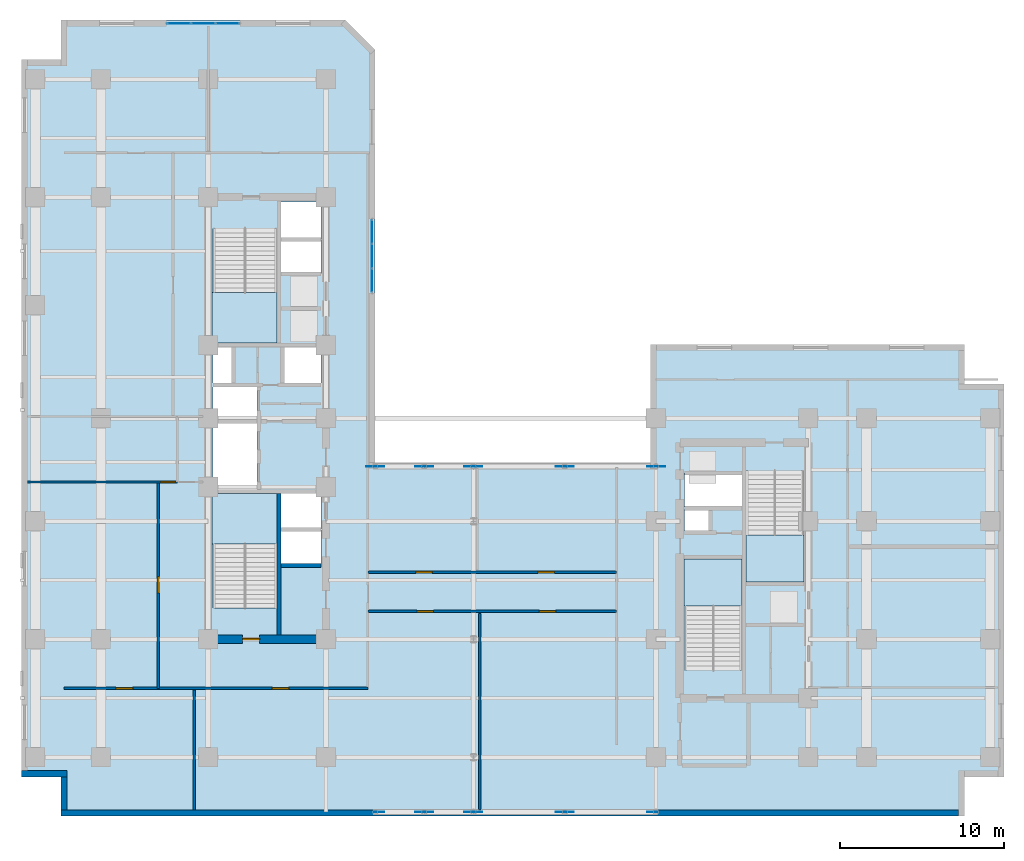
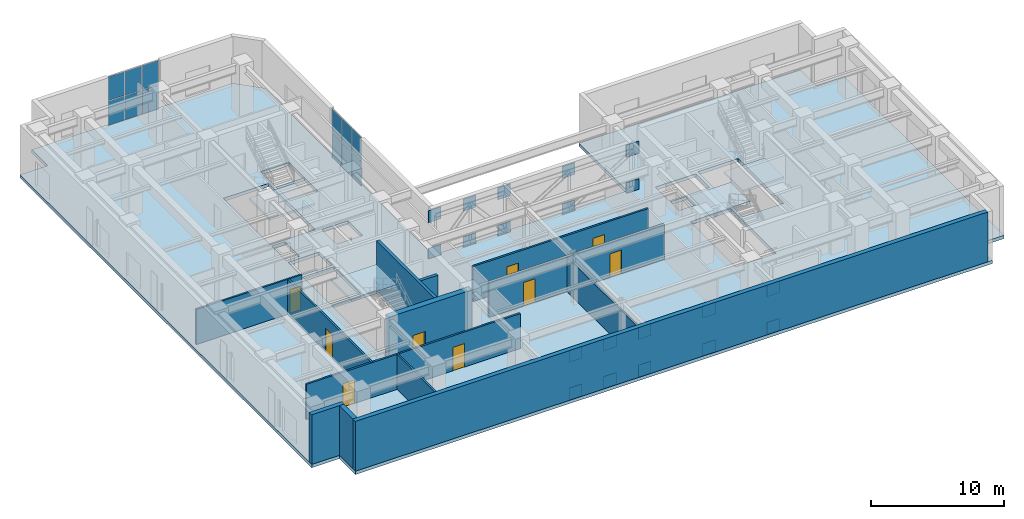
# One storey, part 11 of 18: 32 plates, 13 walls, 9 doors, 5 slabs, 9 openings, 6 elements without a shape of their own.
"""IFC4 building model written with IfcOpenShell, lengths in metres."""

from ifc_helpers import new_model, entity, si_unit, converted_unit, direction, frame, origin_with_axes, origin_2d_with_axis, place, context, subcontext, project, spatial, polyline, rectangle, outline, extrude, material, layer, layer_set, type_object, element, fill, aggregate, save


model = new_model("IFC4")

# Units and contexts
model_context = context("Model", 3, precision=1e-05, world=origin_with_axes(), true_north=direction((0.0, 1.0)))
body_context = subcontext(model_context, "Body", "Model", "MODEL_VIEW")
ifc_project = project(units=[si_unit("LENGTHUNIT", "METRE"), si_unit("AREAUNIT", "SQUARE_METRE"), si_unit("VOLUMEUNIT", "CUBIC_METRE"), converted_unit("PLANEANGLEUNIT", "DEGREE", entity("IfcPlaneAngleMeasure", 0.017453292519943295), si_unit("PLANEANGLEUNIT", "RADIAN"), dimensions=[0, 0, 0, 0, 0, 0, 0]), si_unit("MASSUNIT", "GRAM", prefix="KILO"), si_unit("THERMODYNAMICTEMPERATUREUNIT", "KELVIN")], contexts=[model_context])

# Site, building, storey
site_placement = place(None, origin_with_axes())
site = spatial("IfcSite", under=ifc_project, at=site_placement, CompositionType="ELEMENT")
building_placement = place(site_placement, origin_with_axes())
building = spatial("IfcBuilding", under=site, at=building_placement, Name="Varnlund Millrace Tower", CompositionType="ELEMENT")
storey_placement = place(building_placement, frame((0.0, 0.0, 124.2), z_axis=(0.0, 0.0, 1.0), x_axis=(1.0, 0.0, 0.0)))
storey = spatial("IfcBuildingStorey", under=building, at=storey_placement, Name="L30", CompositionType="ELEMENT", Elevation=124.2)

# Curtain wall, plates
ifc_material_1 = material(Name="Thermally broken architectural bronze curtain wall", Category="aluminium")
curtain_wall_type = type_object("IfcCurtainWallType", Name="Type-CW-Sys5-SkyLobby2Pool", PredefinedType="NOTDEFINED", material=ifc_material_1)
curtain_wall_1_placement = place(storey_placement, frame((21.41, 36.45, 0.0), z_axis=(0.0, 0.0, 1.0), x_axis=(1.0, 0.0, 0.0)))
curtain_wall_1 = element("IfcCurtainWall", 1, at=curtain_wall_1_placement, inside=storey, type_object=curtain_wall_type, Name="Type-CW-Sys5-SkyLobby2Pool", PredefinedType="NOTDEFINED")
ifc_material_2 = material(Name="Low-e argon triple-glazed curtain-wall unit", Category="glass")
ifc_layer_1 = layer(ifc_material_2, 0.028, Name="Low-e argon triple-glazed curtain-wall unit")
ifc_layer_set_1 = layer_set([ifc_layer_1], Name="Low-e argon triple-glazed curtain-wall unit")
plate_type_1 = type_object("IfcPlateType", Name="Type-CW-Panel-TripleGlazed-28", PredefinedType="CURTAIN_PANEL", material=ifc_layer_set_1)
plate_1_placement = place(storey_placement, frame((21.41, 35.685, 0.06), z_axis=(0.0, 0.0, 1.0), x_axis=(0.0, -1.0, 0.0)))
plate_1 = element("IfcPlate", 2, at=plate_1_placement, type_object=plate_type_1, Name="CW-05 panel 1.1", PredefinedType="CURTAIN_PANEL", context=body_context, shape_type="SweptSolid", body=[
    extrude(rectangle(XDim=1.41, YDim=0.028, at=origin_2d_with_axis()), origin_with_axes(), (0.0, 0.0, 1.0), 2.19),
])
plate_2_placement = place(storey_placement, frame((21.41, 35.685, 2.31), z_axis=(0.0, 0.0, 1.0), x_axis=(0.0, -1.0, 0.0)))
plate_2 = element("IfcPlate", 3, at=plate_2_placement, type_object=plate_type_1, Name="CW-05 panel 1.2", PredefinedType="CURTAIN_PANEL", context=body_context, shape_type="SweptSolid", body=[
    extrude(rectangle(XDim=1.41, YDim=0.028, at=origin_2d_with_axis()), origin_with_axes(), (0.0, 0.0, 1.0), 2.19),
])
plate_3_placement = place(storey_placement, frame((21.41, 34.2, 0.06), z_axis=(0.0, 0.0, 1.0), x_axis=(0.0, -1.0, 0.0)))
plate_3 = element("IfcPlate", 4, at=plate_3_placement, type_object=plate_type_1, Name="CW-05 panel 2.1", PredefinedType="CURTAIN_PANEL", context=body_context, shape_type="SweptSolid", body=[
    extrude(rectangle(XDim=1.44, YDim=0.028, at=origin_2d_with_axis()), origin_with_axes(), (0.0, 0.0, 1.0), 2.19),
])
plate_4_placement = place(storey_placement, frame((21.41, 34.2, 2.31), z_axis=(0.0, 0.0, 1.0), x_axis=(0.0, -1.0, 0.0)))
plate_4 = element("IfcPlate", 5, at=plate_4_placement, type_object=plate_type_1, Name="CW-05 panel 2.2", PredefinedType="CURTAIN_PANEL", context=body_context, shape_type="SweptSolid", body=[
    extrude(rectangle(XDim=1.44, YDim=0.028, at=origin_2d_with_axis()), origin_with_axes(), (0.0, 0.0, 1.0), 2.19),
])
plate_5_placement = place(storey_placement, frame((21.41, 32.715, 0.06), z_axis=(0.0, 0.0, 1.0), x_axis=(0.0, -1.0, 0.0)))
plate_5 = element("IfcPlate", 6, at=plate_5_placement, type_object=plate_type_1, Name="CW-05 panel 3.1", PredefinedType="CURTAIN_PANEL", context=body_context, shape_type="SweptSolid", body=[
    extrude(rectangle(XDim=1.41, YDim=0.028, at=origin_2d_with_axis()), origin_with_axes(), (0.0, 0.0, 1.0), 2.19),
])
plate_6_placement = place(storey_placement, frame((21.41, 32.715, 2.31), z_axis=(0.0, 0.0, 1.0), x_axis=(0.0, -1.0, 0.0)))
plate_6 = element("IfcPlate", 7, at=plate_6_placement, type_object=plate_type_1, Name="CW-05 panel 3.2", PredefinedType="CURTAIN_PANEL", context=body_context, shape_type="SweptSolid", body=[
    extrude(rectangle(XDim=1.41, YDim=0.028, at=origin_2d_with_axis()), origin_with_axes(), (0.0, 0.0, 1.0), 2.19),
])
aggregate(curtain_wall_1, [plate_1, plate_2, plate_3, plate_4, plate_5, plate_6])

curtain_wall_2_placement = place(storey_placement, frame((8.85, 48.41, 0.0), z_axis=(0.0, 0.0, 1.0), x_axis=(1.0, 0.0, 0.0)))
curtain_wall_2 = element("IfcCurtainWall", 8, at=curtain_wall_2_placement, inside=storey, type_object=curtain_wall_type, Name="Type-CW-Sys5-SkyLobby2Pool", PredefinedType="NOTDEFINED")
plate_7_placement = place(storey_placement, frame((9.615, 48.41, 0.06), z_axis=(0.0, 0.0, 1.0), x_axis=(1.0, 0.0, 0.0)))
plate_7 = element("IfcPlate", 9, at=plate_7_placement, type_object=plate_type_1, Name="CW-05 panel 1.1", PredefinedType="CURTAIN_PANEL", context=body_context, shape_type="SweptSolid", body=[
    extrude(rectangle(XDim=1.41, YDim=0.028, at=origin_2d_with_axis()), origin_with_axes(), (0.0, 0.0, 1.0), 2.19),
])
plate_8_placement = place(storey_placement, frame((9.615, 48.41, 2.31), z_axis=(0.0, 0.0, 1.0), x_axis=(1.0, 0.0, 0.0)))
plate_8 = element("IfcPlate", 10, at=plate_8_placement, type_object=plate_type_1, Name="CW-05 panel 1.2", PredefinedType="CURTAIN_PANEL", context=body_context, shape_type="SweptSolid", body=[
    extrude(rectangle(XDim=1.41, YDim=0.028, at=origin_2d_with_axis()), origin_with_axes(), (0.0, 0.0, 1.0), 2.19),
])
plate_9_placement = place(storey_placement, frame((11.1, 48.41, 0.06), z_axis=(0.0, 0.0, 1.0), x_axis=(1.0, 0.0, 0.0)))
plate_9 = element("IfcPlate", 11, at=plate_9_placement, type_object=plate_type_1, Name="CW-05 panel 2.1", PredefinedType="CURTAIN_PANEL", context=body_context, shape_type="SweptSolid", body=[
    extrude(rectangle(XDim=1.44, YDim=0.028, at=origin_2d_with_axis()), origin_with_axes(), (0.0, 0.0, 1.0), 2.19),
])
plate_10_placement = place(storey_placement, frame((11.1, 48.41, 2.31), z_axis=(0.0, 0.0, 1.0), x_axis=(1.0, 0.0, 0.0)))
plate_10 = element("IfcPlate", 12, at=plate_10_placement, type_object=plate_type_1, Name="CW-05 panel 2.2", PredefinedType="CURTAIN_PANEL", context=body_context, shape_type="SweptSolid", body=[
    extrude(rectangle(XDim=1.44, YDim=0.028, at=origin_2d_with_axis()), origin_with_axes(), (0.0, 0.0, 1.0), 2.19),
])
plate_11_placement = place(storey_placement, frame((12.585, 48.41, 0.06), z_axis=(0.0, 0.0, 1.0), x_axis=(1.0, 0.0, 0.0)))
plate_11 = element("IfcPlate", 13, at=plate_11_placement, type_object=plate_type_1, Name="CW-05 panel 3.1", PredefinedType="CURTAIN_PANEL", context=body_context, shape_type="SweptSolid", body=[
    extrude(rectangle(XDim=1.41, YDim=0.028, at=origin_2d_with_axis()), origin_with_axes(), (0.0, 0.0, 1.0), 2.19),
])
plate_12_placement = place(storey_placement, frame((12.585, 48.41, 2.31), z_axis=(0.0, 0.0, 1.0), x_axis=(1.0, 0.0, 0.0)))
plate_12 = element("IfcPlate", 14, at=plate_12_placement, type_object=plate_type_1, Name="CW-05 panel 3.2", PredefinedType="CURTAIN_PANEL", context=body_context, shape_type="SweptSolid", body=[
    extrude(rectangle(XDim=1.41, YDim=0.028, at=origin_2d_with_axis()), origin_with_axes(), (0.0, 0.0, 1.0), 2.19),
])
aggregate(curtain_wall_2, [plate_7, plate_8, plate_9, plate_10, plate_11, plate_12])

# Slab
ifc_material_3 = material(Name="Concrete C70/85", Category="concrete")
ifc_layer_2 = layer(ifc_material_3, 0.3, Name="Concrete C70/85")
ifc_layer_set_2 = layer_set([ifc_layer_2], Name="Concrete C70/85")
slab_type_1 = type_object("IfcSlabType", Name="Type-Deck-Plate-Transfer-300", PredefinedType="FLOOR", material=ifc_layer_set_2)
slab_1_placement = place(storey_placement, frame((0.0, 0.0, -0.3), z_axis=(0.0, 0.0, 1.0), x_axis=(1.0, 0.0, 0.0)))
element("IfcSlab", 15, at=slab_1_placement, inside=storey, type_object=slab_type_1, Name="Type-Deck-Plate-Transfer-300", PredefinedType="FLOOR", context=body_context, shape_type="SweptSolid", body=[
    extrude(outline(polyline([(21.6, 21.6), (21.6, 46.8), (19.8, 48.6), (2.4, 48.6), (2.4, 46.2), (0.0, 46.2), (0.0, 2.4), (2.4, 2.4), (2.4, 0.0), (57.6, 0.0), (57.6, 2.4), (60.0, 2.4), (60.0, 26.4), (57.6, 26.4), (57.6, 28.8), (38.4, 28.8), (38.4, 21.6), (21.6, 21.6)]), holes=[polyline([(15.6, 19.7), (15.6, 12.715), (11.7, 12.715), (11.7, 19.7), (15.6, 19.7)]), polyline([(18.3, 15.34), (15.84, 15.34), (15.84, 17.46), (18.3, 17.46), (18.3, 15.34)]), polyline([(18.3, 17.52), (15.84, 17.52), (15.84, 19.7), (18.3, 19.7), (18.3, 17.52)]), polyline([(11.7, 23.98), (14.38, 23.98), (14.38, 19.94), (11.7, 19.94), (11.7, 23.98)]), polyline([(14.38, 24.24), (11.7, 24.24), (11.7, 26.2), (14.38, 26.2), (14.38, 24.24)]), polyline([(12.84, 26.46), (11.7, 26.46), (11.7, 28.65), (12.84, 28.65), (12.84, 26.46)]), polyline([(15.6, 28.9), (11.7, 28.9), (11.7, 35.885), (15.6, 35.885), (15.6, 28.9)]), polyline([(44.0, 8.915), (40.5, 8.915), (40.5, 15.7), (44.0, 15.7), (44.0, 8.915)]), polyline([(47.75, 14.3), (44.25, 14.3), (44.25, 21.085), (47.75, 21.085), (47.75, 14.3)]), polyline([(41.95, 17.42), (40.5, 17.42), (40.5, 18.72), (41.95, 18.72), (41.95, 17.42)]), polyline([(44.0, 18.88), (40.5, 18.88), (40.5, 20.94), (44.0, 20.94), (44.0, 18.88)]), polyline([(18.3, 26.46), (16.04, 26.46), (16.04, 28.65), (18.3, 28.65), (18.3, 26.46)]), polyline([(18.3, 33.12), (15.84, 33.12), (15.84, 35.18), (18.3, 35.18), (18.3, 33.12)]), polyline([(18.3, 35.22), (15.84, 35.22), (15.84, 37.5), (18.3, 37.5), (18.3, 35.22)])]), origin_with_axes(), (0.0, 0.0, 1.0), 0.3),
])

# Plates
ifc_material_4 = material(Name="Steel ASTM A572 Grade 50", Category="steel")
ifc_layer_3 = layer(ifc_material_4, 0.05, Name="Steel ASTM A572 Grade 50")
ifc_layer_set_3 = layer_set([ifc_layer_3], Name="Steel ASTM A572 Grade 50")
plate_type_2 = type_object("IfcPlateType", Name="Type-Gusset-Plate-1100X1100X50", PredefinedType="SHEET", material=ifc_layer_set_3)
for number, where, z_axis, x_axis, name in (
    (16, (21.6, 0.25, -0.15), (0.0, 0.0, 1.0), (1.0, 0.0, 0.0), "Type-Gusset-Plate-1100X1100X50"),
    (17, (21.6, 0.25, 3.3), (0.0, 0.0, 1.0), (1.0, 0.0, 0.0), "Type-Gusset-Plate-1100X1100X50"),
    (18, (21.6, 21.35, -0.15), (0.0, 0.0, 1.0), (1.0, 0.0, 0.0), "Type-Gusset-Plate-1100X1100X50"),
    (19, (21.6, 21.35, 3.3), (0.0, 0.0, 1.0), (1.0, 0.0, 0.0), "Type-Gusset-Plate-1100X1100X50"),
    (20, (24.6, 0.25, -0.15), (0.0, 0.0, 1.0), (1.0, 0.0, 0.0), "Type-Gusset-Plate-1100X1100X50"),
    (21, (24.6, 0.25, 3.3), (0.0, 0.0, 1.0), (1.0, 0.0, 0.0), "Type-Gusset-Plate-1100X1100X50"),
    (22, (24.6, 21.35, -0.15), (0.0, 0.0, 1.0), (1.0, 0.0, 0.0), "Type-Gusset-Plate-1100X1100X50"),
    (23, (24.6, 21.35, 3.3), (0.0, 0.0, 1.0), (1.0, 0.0, 0.0), "Type-Gusset-Plate-1100X1100X50"),
    (24, (27.6, 0.25, -0.15), (0.0, 0.0, 1.0), (1.0, 0.0, 0.0), "Type-Gusset-Plate-1100X1100X50"),
    (25, (27.6, 0.25, 3.3), (0.0, 0.0, 1.0), (1.0, 0.0, 0.0), "Type-Gusset-Plate-1100X1100X50"),
    (26, (27.6, 21.35, -0.15), (0.0, 0.0, 1.0), (1.0, 0.0, 0.0), "Type-Gusset-Plate-1100X1100X50"),
    (27, (27.6, 21.35, 3.3), (0.0, 0.0, 1.0), (1.0, 0.0, 0.0), "Type-Gusset-Plate-1100X1100X50"),
    (28, (33.18, 0.25, -0.15), (0.0, 0.0, 1.0), (1.0, 0.0, 0.0), "Type-Gusset-Plate-1100X1100X50"),
    (29, (33.18, 0.25, 3.3), (0.0, 0.0, 1.0), (1.0, 0.0, 0.0), "Type-Gusset-Plate-1100X1100X50"),
    (30, (33.18, 21.35, -0.15), (0.0, 0.0, 1.0), (1.0, 0.0, 0.0), "Type-Gusset-Plate-1100X1100X50"),
    (31, (33.18, 21.35, 3.3), (0.0, 0.0, 1.0), (1.0, 0.0, 0.0), "Type-Gusset-Plate-1100X1100X50"),
    (32, (38.75, 0.25, -0.15), (0.0, 0.0, 1.0), (1.0, 0.0, 0.0), "Type-Gusset-Plate-1100X1100X50"),
    (33, (38.75, 0.25, 3.3), (0.0, 0.0, 1.0), (1.0, 0.0, 0.0), "Type-Gusset-Plate-1100X1100X50"),
    (34, (38.75, 21.35, -0.15), (0.0, 0.0, 1.0), (1.0, 0.0, 0.0), "Type-Gusset-Plate-1100X1100X50"),
    (35, (38.75, 21.35, 3.3), (0.0, 0.0, 1.0), (1.0, 0.0, 0.0), "Type-Gusset-Plate-1100X1100X50"),
):
    element("IfcPlate", number, at=place(storey_placement, frame(where, z_axis=z_axis, x_axis=x_axis)), inside=storey, type_object=plate_type_2, Name=name, PredefinedType="SHEET", context=body_context, shape_type="SweptSolid", body=[
        extrude(rectangle(XDim=1.1, YDim=0.05, at=origin_2d_with_axis()), origin_with_axes(), (0.0, 0.0, 1.0), 1.1),
    ])

# Stair, slab
ifc_material_5 = material(Name="Concrete C50/60", Category="concrete")
stair_type_1 = type_object("IfcStairType", Name="Type-Stair-Dogleg-185-480", PredefinedType="HALF_TURN_STAIR", material=ifc_material_5)
stair_1_placement = place(storey_placement, origin_with_axes())
stair_1 = element("IfcStair", 36, at=stair_1_placement, inside=storey, type_object=stair_type_1, Name="Type-Stair-Dogleg-185-480", PredefinedType="HALF_TURN_STAIR")
ifc_layer_4 = layer(ifc_material_5, 0.2, Name="Concrete C50/60")
ifc_layer_set_4 = layer_set([ifc_layer_4], Name="Concrete C50/60")
slab_type_2 = type_object("IfcSlabType", Name="Type-StairLanding-200", PredefinedType="LANDING", material=ifc_layer_set_4)
slab_2_placement = place(storey_placement, frame((0.0, 0.0, 2.2), z_axis=(0.0, 0.0, 1.0), x_axis=(1.0, 0.0, 0.0)))
slab_2 = element("IfcSlab", 37, at=slab_2_placement, type_object=slab_type_2, Name="ST-A1 landing 1", PredefinedType="LANDING", context=body_context, shape_type="SweptSolid", body=[
    extrude(outline(polyline([(15.6, 16.62), (15.6, 19.7), (11.65, 19.7), (11.65, 16.62), (15.6, 16.62)])), origin_with_axes(), (0.0, 0.0, 1.0), 0.2),
])
aggregate(stair_1, [slab_2])

stair_2_placement = place(storey_placement, origin_with_axes())
stair_2 = element("IfcStair", 38, at=stair_2_placement, inside=storey, type_object=stair_type_1, Name="Type-Stair-Dogleg-185-480", PredefinedType="HALF_TURN_STAIR")
slab_3_placement = place(storey_placement, frame((0.0, 0.0, 2.2), z_axis=(0.0, 0.0, 1.0), x_axis=(1.0, 0.0, 0.0)))
slab_3 = element("IfcSlab", 39, at=slab_3_placement, type_object=slab_type_2, Name="ST-A2 landing 1", PredefinedType="LANDING", context=body_context, shape_type="SweptSolid", body=[
    extrude(outline(polyline([(11.65, 31.98), (11.65, 28.9), (15.6, 28.9), (15.6, 31.98), (11.65, 31.98)])), origin_with_axes(), (0.0, 0.0, 1.0), 0.2),
])
aggregate(stair_2, [slab_3])

stair_type_2 = type_object("IfcStairType", Name="Type-Stair-Dogleg-165-480", PredefinedType="HALF_TURN_STAIR", material=ifc_material_5)
stair_3_placement = place(storey_placement, origin_with_axes())
stair_3 = element("IfcStair", 40, at=stair_3_placement, inside=storey, type_object=stair_type_2, Name="Type-Stair-Dogleg-165-480", PredefinedType="HALF_TURN_STAIR")
slab_4_placement = place(storey_placement, frame((0.0, 0.0, 2.2), z_axis=(0.0, 0.0, 1.0), x_axis=(1.0, 0.0, 0.0)))
slab_4 = element("IfcSlab", 41, at=slab_4_placement, type_object=slab_type_2, Name="ST-B1 landing 1", PredefinedType="LANDING", context=body_context, shape_type="SweptSolid", body=[
    extrude(outline(polyline([(44.0, 12.82), (44.0, 15.7), (40.45, 15.7), (40.45, 12.82), (44.0, 12.82)])), origin_with_axes(), (0.0, 0.0, 1.0), 0.2),
])
aggregate(stair_3, [slab_4])

stair_4_placement = place(storey_placement, origin_with_axes())
stair_4 = element("IfcStair", 42, at=stair_4_placement, inside=storey, type_object=stair_type_2, Name="Type-Stair-Dogleg-165-480", PredefinedType="HALF_TURN_STAIR")
slab_5_placement = place(storey_placement, frame((0.0, 0.0, 2.2), z_axis=(0.0, 0.0, 1.0), x_axis=(1.0, 0.0, 0.0)))
slab_5 = element("IfcSlab", 43, at=slab_5_placement, type_object=slab_type_2, Name="ST-B2 landing 1", PredefinedType="LANDING", context=body_context, shape_type="SweptSolid", body=[
    extrude(outline(polyline([(44.25, 17.18), (44.25, 14.3), (47.8, 14.3), (47.8, 17.18), (44.25, 17.18)])), origin_with_axes(), (0.0, 0.0, 1.0), 0.2),
])
aggregate(stair_4, [slab_5])

# Wall, opening, door
ifc_layer_5 = layer(ifc_material_3, 0.5, Name="Concrete C70/85")
ifc_layer_set_5 = layer_set([ifc_layer_5], Name="Concrete C70/85")
wall_type_1 = type_object("IfcWallType", Name="Type-CoreWall-Shear-500-C70", PredefinedType="SHEAR", material=ifc_layer_set_5)
wall_1_placement = place(storey_placement, frame((11.4, 10.8, 0.0), z_axis=(0.0, 0.0, 1.0), x_axis=(1.0, 0.0, 0.0)))
wall_1 = element("IfcWall", 44, at=wall_1_placement, inside=storey, type_object=wall_type_1, Name="Type-CoreWall-Shear-500-C70", PredefinedType="SHEAR", context=body_context, shape_type="SweptSolid", body=[
    extrude(outline(polyline([(0.0, -0.25), (7.2, -0.25), (7.2, 0.25), (0.0, 0.25), (0.0, -0.25)])), origin_with_axes(), (0.0, 0.0, 1.0), 4.56),
])
opening_1_placement = place(wall_1_placement, frame((2.625, 0.0, 0.0), z_axis=(0.0, 0.0, 1.0), x_axis=(1.0, 0.0, 0.0)))
opening_1 = element("IfcOpeningElement", 45, at=opening_1_placement, cuts=wall_1, Name="Opening L30:DR-STA1", PredefinedType="OPENING", context=body_context, shape_type="SweptSolid", body=[
    extrude(rectangle(XDim=1.05, YDim=0.52, at=origin_2d_with_axis()), origin_with_axes(), (0.0, 0.0, 1.0), 2.15),
])
ifc_material_6 = material(Name="Fire-rated hollow steel door", Category="steel")
door_type_1 = type_object("IfcDoorType", Name="Type-FireDoor-Stair-1050X2150", OperationType="NOTDEFINED", PredefinedType="DOOR", material=ifc_material_6)
door_1_placement = place(wall_1_placement, frame((2.625, 0.0, 0.0), z_axis=(0.0, 0.0, 1.0), x_axis=(1.0, 0.0, 0.0)))
door_1 = element("IfcDoor", 46, at=door_1_placement, inside=storey, type_object=door_type_1, Name="Type-FireDoor-Stair-1050X2150", OperationType="SINGLE_SWING_LEFT", OverallHeight=2.15, OverallWidth=1.05, PredefinedType="DOOR", context=body_context, shape_type="SweptSolid", body=[
    extrude(rectangle(XDim=1.05, YDim=0.09, at=origin_2d_with_axis()), origin_with_axes(), (0.0, 0.0, 1.0), 2.15),
])
fill(opening_1, door_1)

# Walls
ifc_material_7 = material(Name="Precast concrete C50/60", Category="concrete")
ifc_layer_6 = layer(ifc_material_7, 0.38, Name="Precast concrete C50/60")
ifc_layer_set_6 = layer_set([ifc_layer_6], Name="Precast concrete C50/60")
wall_type_2 = type_object("IfcWallType", Name="Type-ExtWall-Precast-Tube-380", PredefinedType="SOLIDWALL", material=ifc_layer_set_6)
wall_2_placement = place(storey_placement, frame((57.22, 0.19, 0.0), z_axis=(0.0, 0.0, 1.0), x_axis=(-1.0, 0.0, 0.0)))
element("IfcWall", 47, at=wall_2_placement, inside=storey, type_object=wall_type_2, Name="Type-ExtWall-Precast-Tube-380", PredefinedType="SOLIDWALL", context=body_context, shape_type="SweptSolid", body=[
    extrude(outline(polyline([(0.0, -0.19), (54.82, -0.19), (54.82, 0.19), (0.0, 0.19), (0.0, -0.19)])), origin_with_axes(), (0.0, 0.0, 1.0), 4.56),
])
wall_3_placement = place(storey_placement, frame((2.59, 0.38, 0.0), z_axis=(0.0, 0.0, 1.0), x_axis=(0.0, 1.0, 0.0)))
element("IfcWall", 48, at=wall_3_placement, inside=storey, type_object=wall_type_2, Name="Type-ExtWall-Precast-Tube-380", PredefinedType="SOLIDWALL", context=body_context, shape_type="SweptSolid", body=[
    extrude(outline(polyline([(0.0, -0.19), (2.02, -0.19), (2.02, 0.19), (0.0, 0.19), (0.0, -0.19)])), origin_with_axes(), (0.0, 0.0, 1.0), 4.56),
])
wall_4_placement = place(storey_placement, frame((2.78, 2.59, 0.0), z_axis=(0.0, 0.0, 1.0), x_axis=(-1.0, 0.0, 0.0)))
element("IfcWall", 49, at=wall_4_placement, inside=storey, type_object=wall_type_2, Name="Type-ExtWall-Precast-Tube-380", PredefinedType="SOLIDWALL", context=body_context, shape_type="SweptSolid", body=[
    extrude(outline(polyline([(0.0, -0.19), (2.78, -0.19), (2.78, 0.19), (0.0, 0.19), (0.0, -0.19)])), origin_with_axes(), (0.0, 0.0, 1.0), 4.56),
])

# Wall, openings, doors
ifc_material_8 = material(Name="Fire-rated gypsum board on cold-formed steel framing", Category="steel")
ifc_layer_7 = layer(ifc_material_8, 0.16, Name="Fire-rated gypsum board on cold-formed steel framing")
ifc_layer_set_7 = layer_set([ifc_layer_7], Name="Fire-rated gypsum board on cold-formed steel framing")
wall_type_3 = type_object("IfcWallType", Name="Type-Partition-Corridor-160", PredefinedType="PARTITIONING", material=ifc_layer_set_7)
wall_5_placement = place(storey_placement, frame((2.6, 7.8, 0.0), z_axis=(0.0, 0.0, 1.0), x_axis=(1.0, 0.0, 0.0)))
wall_5 = element("IfcWall", 50, at=wall_5_placement, inside=storey, type_object=wall_type_3, Name="Type-Partition-Corridor-160", PredefinedType="PARTITIONING", context=body_context, shape_type="SweptSolid", body=[
    extrude(outline(polyline([(0.0, -0.08), (18.55, -0.08), (18.55, 0.08), (0.0, 0.08), (0.0, -0.08)])), origin_with_axes(), (0.0, 0.0, 1.0), 3.2),
])
opening_2_placement = place(wall_5_placement, frame((3.684, 0.0, 0.0), z_axis=(0.0, 0.0, 1.0), x_axis=(1.0, 0.0, 0.0)))
opening_2 = element("IfcOpeningElement", 51, at=opening_2_placement, cuts=wall_5, Name="Opening L30:DR-WAS-01", PredefinedType="OPENING", context=body_context, shape_type="SweptSolid", body=[
    extrude(rectangle(XDim=1.0, YDim=0.18, at=origin_2d_with_axis()), origin_with_axes(), (0.0, 0.0, 1.0), 2.15),
])
opening_3_placement = place(wall_5_placement, frame((13.2195, 0.0, 0.0), z_axis=(0.0, 0.0, 1.0), x_axis=(1.0, 0.0, 0.0)))
opening_3 = element("IfcOpeningElement", 52, at=opening_3_placement, cuts=wall_5, Name="Opening L30:DR-WAS-02", PredefinedType="OPENING", context=body_context, shape_type="SweptSolid", body=[
    extrude(rectangle(XDim=1.0, YDim=0.18, at=origin_2d_with_axis()), origin_with_axes(), (0.0, 0.0, 1.0), 2.15),
])
ifc_material_9 = material(Name="Solid-core white oak and bronze frame door")
door_type_2 = type_object("IfcDoorType", Name="Type-IntDoor-Office-1000X2150", OperationType="NOTDEFINED", PredefinedType="DOOR", material=ifc_material_9)
door_2_placement = place(wall_5_placement, frame((3.684, 0.0, 0.0), z_axis=(0.0, 0.0, 1.0), x_axis=(1.0, 0.0, 0.0)))
door_2 = element("IfcDoor", 53, at=door_2_placement, inside=storey, type_object=door_type_2, Name="Type-IntDoor-Office-1000X2150", OperationType="SINGLE_SWING_LEFT", OverallHeight=2.15, OverallWidth=1.0, PredefinedType="DOOR", context=body_context, shape_type="SweptSolid", body=[
    extrude(rectangle(XDim=1.0, YDim=0.09, at=origin_2d_with_axis()), origin_with_axes(), (0.0, 0.0, 1.0), 2.15),
])
fill(opening_2, door_2)
door_3_placement = place(wall_5_placement, frame((13.2195, 0.0, 0.0), z_axis=(0.0, 0.0, 1.0), x_axis=(1.0, 0.0, 0.0)))
door_3 = element("IfcDoor", 54, at=door_3_placement, inside=storey, type_object=door_type_2, Name="Type-IntDoor-Office-1000X2150", OperationType="SINGLE_SWING_RIGHT", OverallHeight=2.15, OverallWidth=1.0, PredefinedType="DOOR", context=body_context, shape_type="SweptSolid", body=[
    extrude(rectangle(XDim=1.0, YDim=0.09, at=origin_2d_with_axis()), origin_with_axes(), (0.0, 0.0, 1.0), 2.15),
])
fill(opening_3, door_3)

# Wall, opening, door
wall_6_placement = place(storey_placement, frame((8.35, 7.8, 0.0), z_axis=(0.0, 0.0, 1.0), x_axis=(0.0, 1.0, 0.0)))
wall_6 = element("IfcWall", 55, at=wall_6_placement, inside=storey, type_object=wall_type_3, Name="Type-Partition-Corridor-160", PredefinedType="PARTITIONING", context=body_context, shape_type="SweptSolid", body=[
    extrude(outline(polyline([(0.0, -0.08), (12.6, -0.08), (12.6, 0.08), (0.0, 0.08), (0.0, -0.08)])), origin_with_axes(), (0.0, 0.0, 1.0), 3.2),
])
opening_4_placement = place(wall_6_placement, frame((6.325, 0.0, 0.0), z_axis=(0.0, 0.0, 1.0), x_axis=(1.0, 0.0, 0.0)))
opening_4 = element("IfcOpeningElement", 56, at=opening_4_placement, cuts=wall_6, Name="Opening L30:DR-WS-01", PredefinedType="OPENING", context=body_context, shape_type="SweptSolid", body=[
    extrude(rectangle(XDim=1.0, YDim=0.18, at=origin_2d_with_axis()), origin_with_axes(), (0.0, 0.0, 1.0), 2.15),
])
door_4_placement = place(wall_6_placement, frame((6.325, 0.0, 0.0), z_axis=(0.0, 0.0, 1.0), x_axis=(1.0, 0.0, 0.0)))
door_4 = element("IfcDoor", 57, at=door_4_placement, inside=storey, type_object=door_type_2, Name="Type-IntDoor-Office-1000X2150", OperationType="SINGLE_SWING_LEFT", OverallHeight=2.15, OverallWidth=1.0, PredefinedType="DOOR", context=body_context, shape_type="SweptSolid", body=[
    extrude(rectangle(XDim=1.0, YDim=0.09, at=origin_2d_with_axis()), origin_with_axes(), (0.0, 0.0, 1.0), 2.15),
])
fill(opening_4, door_4)

# Wall, openings, doors
wall_7_placement = place(storey_placement, frame((21.15, 12.5, 0.0), z_axis=(0.0, 0.0, 1.0), x_axis=(1.0, 0.0, 0.0)))
wall_7 = element("IfcWall", 58, at=wall_7_placement, inside=storey, type_object=wall_type_3, Name="Type-Partition-Corridor-160", PredefinedType="PARTITIONING", context=body_context, shape_type="SweptSolid", body=[
    extrude(outline(polyline([(0.0, -0.08), (15.2, -0.08), (15.2, 0.08), (0.0, 0.08), (0.0, -0.08)])), origin_with_axes(), (0.0, 0.0, 1.0), 3.2),
])
opening_5_placement = place(wall_7_placement, frame((3.5045, 0.0, 0.0), z_axis=(0.0, 0.0, 1.0), x_axis=(1.0, 0.0, 0.0)))
opening_5 = element("IfcOpeningElement", 59, at=opening_5_placement, cuts=wall_7, Name="Opening L30:DR-KNS-01", PredefinedType="OPENING", context=body_context, shape_type="SweptSolid", body=[
    extrude(rectangle(XDim=1.0, YDim=0.18, at=origin_2d_with_axis()), origin_with_axes(), (0.0, 0.0, 1.0), 2.15),
])
opening_6_placement = place(wall_7_placement, frame((10.9745, 0.0, 0.0), z_axis=(0.0, 0.0, 1.0), x_axis=(1.0, 0.0, 0.0)))
opening_6 = element("IfcOpeningElement", 60, at=opening_6_placement, cuts=wall_7, Name="Opening L30:DR-KNS-02", PredefinedType="OPENING", context=body_context, shape_type="SweptSolid", body=[
    extrude(rectangle(XDim=1.0, YDim=0.18, at=origin_2d_with_axis()), origin_with_axes(), (0.0, 0.0, 1.0), 2.15),
])
door_5_placement = place(wall_7_placement, frame((3.5045, 0.0, 0.0), z_axis=(0.0, 0.0, 1.0), x_axis=(1.0, 0.0, 0.0)))
door_5 = element("IfcDoor", 61, at=door_5_placement, inside=storey, type_object=door_type_2, Name="Type-IntDoor-Office-1000X2150", OperationType="SINGLE_SWING_LEFT", OverallHeight=2.15, OverallWidth=1.0, PredefinedType="DOOR", context=body_context, shape_type="SweptSolid", body=[
    extrude(rectangle(XDim=1.0, YDim=0.09, at=origin_2d_with_axis()), origin_with_axes(), (0.0, 0.0, 1.0), 2.15),
])
fill(opening_5, door_5)
door_6_placement = place(wall_7_placement, frame((10.9745, 0.0, 0.0), z_axis=(0.0, 0.0, 1.0), x_axis=(1.0, 0.0, 0.0)))
door_6 = element("IfcDoor", 62, at=door_6_placement, inside=storey, type_object=door_type_2, Name="Type-IntDoor-Office-1000X2150", OperationType="SINGLE_SWING_RIGHT", OverallHeight=2.15, OverallWidth=1.0, PredefinedType="DOOR", context=body_context, shape_type="SweptSolid", body=[
    extrude(rectangle(XDim=1.0, YDim=0.09, at=origin_2d_with_axis()), origin_with_axes(), (0.0, 0.0, 1.0), 2.15),
])
fill(opening_6, door_6)

wall_8_placement = place(storey_placement, frame((21.15, 14.9, 0.0), z_axis=(0.0, 0.0, 1.0), x_axis=(1.0, 0.0, 0.0)))
wall_8 = element("IfcWall", 63, at=wall_8_placement, inside=storey, type_object=wall_type_3, Name="Type-Partition-Corridor-160", PredefinedType="PARTITIONING", context=body_context, shape_type="SweptSolid", body=[
    extrude(outline(polyline([(0.0, -0.08), (15.2, -0.08), (15.2, 0.08), (0.0, 0.08), (0.0, -0.08)])), origin_with_axes(), (0.0, 0.0, 1.0), 3.2),
])
opening_7_placement = place(wall_8_placement, frame((3.43, 0.0, 0.0), z_axis=(0.0, 0.0, 1.0), x_axis=(1.0, 0.0, 0.0)))
opening_7 = element("IfcOpeningElement", 64, at=opening_7_placement, cuts=wall_8, Name="Opening L30:DR-KN-01", PredefinedType="OPENING", context=body_context, shape_type="SweptSolid", body=[
    extrude(rectangle(XDim=1.0, YDim=0.18, at=origin_2d_with_axis()), origin_with_axes(), (0.0, 0.0, 1.0), 2.15),
])
opening_8_placement = place(wall_8_placement, frame((10.9, 0.0, 0.0), z_axis=(0.0, 0.0, 1.0), x_axis=(1.0, 0.0, 0.0)))
opening_8 = element("IfcOpeningElement", 65, at=opening_8_placement, cuts=wall_8, Name="Opening L30:DR-KN-02", PredefinedType="OPENING", context=body_context, shape_type="SweptSolid", body=[
    extrude(rectangle(XDim=1.0, YDim=0.18, at=origin_2d_with_axis()), origin_with_axes(), (0.0, 0.0, 1.0), 2.15),
])
door_7_placement = place(wall_8_placement, frame((3.43, 0.0, 0.0), z_axis=(0.0, 0.0, 1.0), x_axis=(1.0, 0.0, 0.0)))
door_7 = element("IfcDoor", 66, at=door_7_placement, inside=storey, type_object=door_type_2, Name="Type-IntDoor-Office-1000X2150", OperationType="SINGLE_SWING_LEFT", OverallHeight=2.15, OverallWidth=1.0, PredefinedType="DOOR", context=body_context, shape_type="SweptSolid", body=[
    extrude(rectangle(XDim=1.0, YDim=0.09, at=origin_2d_with_axis()), origin_with_axes(), (0.0, 0.0, 1.0), 2.15),
])
fill(opening_7, door_7)
door_8_placement = place(wall_8_placement, frame((10.9, 0.0, 0.0), z_axis=(0.0, 0.0, 1.0), x_axis=(1.0, 0.0, 0.0)))
door_8 = element("IfcDoor", 67, at=door_8_placement, inside=storey, type_object=door_type_2, Name="Type-IntDoor-Office-1000X2150", OperationType="SINGLE_SWING_RIGHT", OverallHeight=2.15, OverallWidth=1.0, PredefinedType="DOOR", context=body_context, shape_type="SweptSolid", body=[
    extrude(rectangle(XDim=1.0, YDim=0.09, at=origin_2d_with_axis()), origin_with_axes(), (0.0, 0.0, 1.0), 2.15),
])
fill(opening_8, door_8)

# Walls
ifc_material_10 = material(Name="Acoustic STC-50 gypsum board partition", Category="gypsum")
ifc_layer_8 = layer(ifc_material_10, 0.15, Name="Acoustic STC-50 gypsum board partition")
ifc_layer_set_8 = layer_set([ifc_layer_8], Name="Acoustic STC-50 gypsum board partition")
wall_type_4 = type_object("IfcWallType", Name="Type-Partition-Demising-150", PredefinedType="PARTITIONING", material=ifc_layer_set_8)
wall_9_placement = place(storey_placement, frame((10.539, 0.36, 0.0), z_axis=(0.0, 0.0, 1.0), x_axis=(0.0, 1.0, 0.0)))
element("IfcWall", 68, at=wall_9_placement, inside=storey, type_object=wall_type_4, Name="Type-Partition-Demising-150", PredefinedType="PARTITIONING", context=body_context, shape_type="SweptSolid", body=[
    extrude(outline(polyline([(0.0, -0.075), (7.34, -0.075), (7.34, 0.075), (0.0, 0.075), (0.0, -0.075)])), origin_with_axes(), (0.0, 0.0, 1.0), 3.2),
])
wall_10_placement = place(storey_placement, frame((27.979, 0.36, 0.0), z_axis=(0.0, 0.0, 1.0), x_axis=(0.0, 1.0, 0.0)))
element("IfcWall", 69, at=wall_10_placement, inside=storey, type_object=wall_type_4, Name="Type-Partition-Demising-150", PredefinedType="PARTITIONING", context=body_context, shape_type="SweptSolid", body=[
    extrude(outline(polyline([(0.0, -0.075), (12.02, -0.075), (12.02, 0.075), (0.0, 0.075), (0.0, -0.075)])), origin_with_axes(), (0.0, 0.0, 1.0), 3.2),
])

# Wall, opening, door
ifc_material_11 = material(Name="Moisture-resistant gypsum restroom partition", Category="gypsum")
ifc_layer_9 = layer(ifc_material_11, 0.14, Name="Moisture-resistant gypsum restroom partition")
ifc_layer_set_9 = layer_set([ifc_layer_9], Name="Moisture-resistant gypsum restroom partition")
wall_type_5 = type_object("IfcWallType", Name="Type-Partition-Wet-140", PredefinedType="PARTITIONING", material=ifc_layer_set_9)
wall_11_placement = place(storey_placement, frame((0.36, 20.4, 0.0), z_axis=(0.0, 0.0, 1.0), x_axis=(1.0, 0.0, 0.0)))
wall_11 = element("IfcWall", 70, at=wall_11_placement, inside=storey, type_object=wall_type_5, Name="Type-Partition-Wet-140", PredefinedType="PARTITIONING", context=body_context, shape_type="SweptSolid", body=[
    extrude(outline(polyline([(0.0, -0.07), (9.16, -0.07), (9.16, 0.07), (0.0, 0.07), (0.0, -0.07)])), origin_with_axes(), (0.0, 0.0, 1.0), 3.2),
])
opening_9_placement = place(wall_11_placement, frame((8.59, 0.0, 0.0), z_axis=(0.0, 0.0, 1.0), x_axis=(1.0, 0.0, 0.0)))
opening_9 = element("IfcOpeningElement", 71, at=opening_9_placement, cuts=wall_11, Name="Opening L30:DR-W-MIDR", PredefinedType="OPENING", context=body_context, shape_type="SweptSolid", body=[
    extrude(rectangle(XDim=0.9, YDim=0.16, at=origin_2d_with_axis()), origin_with_axes(), (0.0, 0.0, 1.0), 2.15),
])
ifc_material_12 = material(Name="Painted steel riser and closet door", Category="steel")
door_type_3 = type_object("IfcDoorType", Name="Type-IntDoor-Closet-900X2150", OperationType="NOTDEFINED", PredefinedType="DOOR", material=ifc_material_12)
door_9_placement = place(wall_11_placement, frame((8.59, 0.0, 0.0), z_axis=(0.0, 0.0, 1.0), x_axis=(1.0, 0.0, 0.0)))
door_9 = element("IfcDoor", 72, at=door_9_placement, inside=storey, type_object=door_type_3, Name="Type-IntDoor-Closet-900X2150", OperationType="SINGLE_SWING_LEFT", OverallHeight=2.15, OverallWidth=0.9, PredefinedType="DOOR", context=body_context, shape_type="SweptSolid", body=[
    extrude(rectangle(XDim=0.9, YDim=0.084, at=origin_2d_with_axis()), origin_with_axes(), (0.0, 0.0, 1.0), 2.15),
])
fill(opening_9, door_9)

# Walls
ifc_material_13 = material(Name="Concrete C60/75", Category="concrete")
ifc_layer_10 = layer(ifc_material_13, 0.25, Name="Concrete C60/75")
ifc_layer_set_10 = layer_set([ifc_layer_10], Name="Concrete C60/75")
wall_type_6 = type_object("IfcWallType", Name="Type-ShaftWall-Fire-250", PredefinedType="SOLIDWALL", material=ifc_layer_set_10)
wall_12_placement = place(storey_placement, frame((15.84, 15.29, 0.0), z_axis=(0.0, 0.0, 1.0), x_axis=(1.0, 0.0, 0.0)))
element("IfcWall", 73, at=wall_12_placement, inside=storey, type_object=wall_type_6, Name="Type-ShaftWall-Fire-250", PredefinedType="SOLIDWALL", context=body_context, shape_type="SweptSolid", body=[
    extrude(outline(polyline([(0.0, -0.125), (2.46, -0.125), (2.46, 0.125), (0.0, 0.125), (0.0, -0.125)])), origin_with_axes(), (0.0, 0.0, 1.0), 3.2),
])
wall_type_7 = type_object("IfcWallType", Name="Type-StairWall-Shear-250", PredefinedType="SHEAR", material=ifc_layer_set_10)
wall_13_placement = place(storey_placement, frame((15.725, 11.05, 0.0), z_axis=(0.0, 0.0, 1.0), x_axis=(0.0, 1.0, 0.0)))
element("IfcWall", 74, at=wall_13_placement, inside=storey, type_object=wall_type_7, Name="Type-StairWall-Shear-250", PredefinedType="SHEAR", context=body_context, shape_type="SweptSolid", body=[
    extrude(outline(polyline([(0.0, -0.125), (8.65, -0.125), (8.65, 0.125), (0.0, 0.125), (0.0, -0.125)])), origin_with_axes(), (0.0, 0.0, 1.0), 4.56),
])

save(model, "model.ifc")
